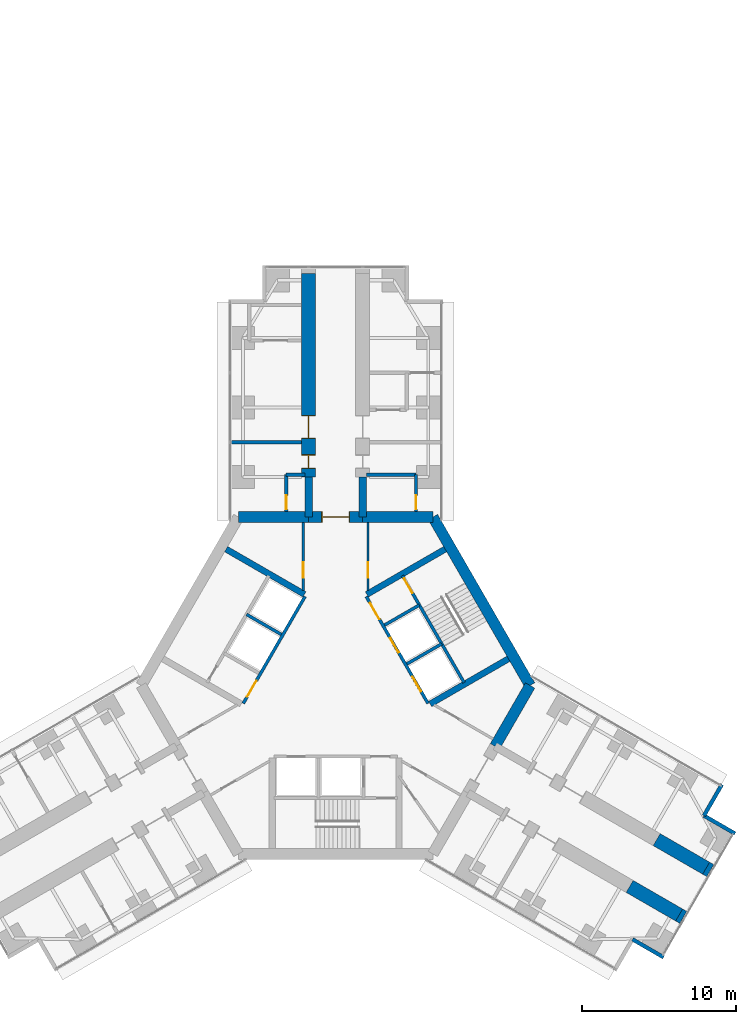
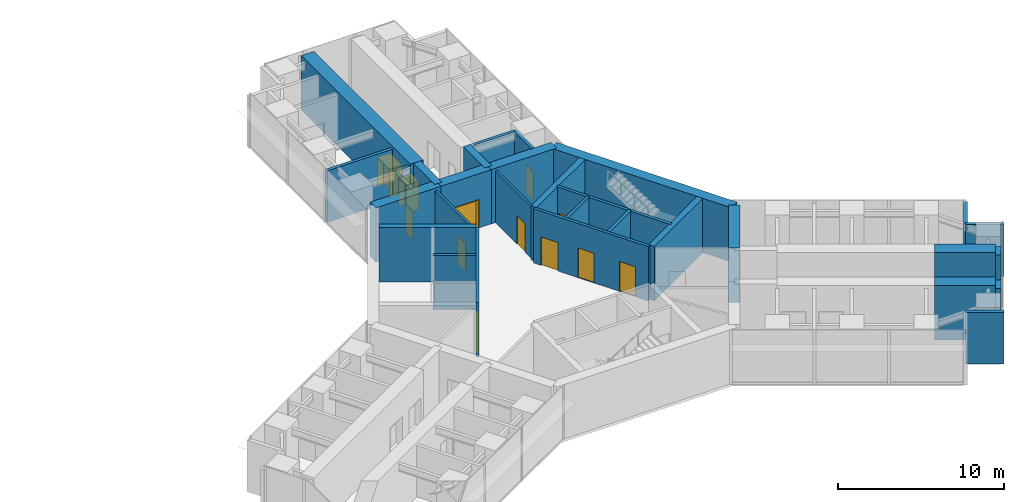
# One storey, part 20 of 22: 31 walls, 12 doors, 12 openings.
"""IFC4 building model written with IfcOpenShell, lengths in metres."""

from ifc_helpers import new_model, si_unit, direction, frame, frame_2d, origin, place, context, subcontext, project, spatial, rectangle, extrude, material, layer, layer_set, type_object, element, fill, save


model = new_model("IFC4")

# Units and contexts
model_context = context("Model", 3, precision=1e-05, world=origin(), true_north=direction((0.0, 1.0)))
body_context = subcontext(model_context, "Body", "Model", "MODEL_VIEW")
ifc_project = project(units=[si_unit("LENGTHUNIT", "METRE"), si_unit("AREAUNIT", "SQUARE_METRE"), si_unit("VOLUMEUNIT", "CUBIC_METRE"), si_unit("PLANEANGLEUNIT", "RADIAN"), si_unit("MASSUNIT", "GRAM", prefix="KILO")], contexts=[model_context])

# Site, building, storey
site_placement = place(None, origin())
site = spatial("IfcSite", under=ifc_project, at=site_placement, CompositionType="ELEMENT")
building_placement = place(site_placement, origin())
building = spatial("IfcBuilding", under=site, at=building_placement, Name="Upepo Twin Towers", CompositionType="ELEMENT")
storey_placement = place(building_placement, frame((0.0, 0.0, 44.5)))
storey = spatial("IfcBuildingStorey", under=building, at=storey_placement, Name="L10", CompositionType="ELEMENT", Elevation=44.5)

# Wall
ifc_material_1 = material(Name="Concrete blockwork, plastered both faces", Category="masonry")
ifc_layer_1 = layer(ifc_material_1, 0.215087890625)
ifc_layer_set_1 = layer_set([ifc_layer_1], Name="Blockwork partition 215")
wall_type_1 = type_object("IfcWallType", Name="Blockwork partition 215", PredefinedType="PARTITIONING", material=ifc_layer_set_1)
wall_1_placement = place(storey_placement, frame((56.300048828125, -2.25, 0.0), z_axis=(0.0, 0.0, 1.0), x_axis=(-1.0, 0.0, 0.0)))
element("IfcWall", 1, at=wall_1_placement, inside=storey, type_object=wall_type_1, Name="T2 partition AL at 15.75", PredefinedType="PARTITIONING", context=body_context, shape_type="SweptSolid", body=[
    extrude(rectangle(XDim=4.550048828125, YDim=0.215087890625, at=frame_2d((2.27490234375, 0.0))), origin(), (0.0, 0.0, 1.0), 3.800048828125),
])

# Wall, opening, door
wall_2_placement = place(storey_placement, frame((55.300048828125, -6.741943359375, 0.0), z_axis=(0.0, 0.0, 1.0), x_axis=(0.0, 1.0, 0.0)))
wall_2 = element("IfcWall", 2, at=wall_2_placement, inside=storey, type_object=wall_type_1, Name="T2 WC bay partition AL at 11.26", PredefinedType="PARTITIONING", context=body_context, shape_type="SweptSolid", body=[
    extrude(rectangle(XDim=2.39990234375, YDim=0.215087890625, at=frame_2d((1.199951171875, 0.0))), origin(), (0.0, 0.0, 1.0), 3.800048828125),
])
opening_1_placement = place(wall_2_placement, frame((0.14990234375, 0.0, 0.0)))
opening_1 = element("IfcOpeningElement", 3, at=opening_1_placement, cuts=wall_2, Name="Opening D14", PredefinedType="OPENING", context=body_context, shape_type="SweptSolid", body=[
    extrude(rectangle(XDim=0.89990234375, YDim=2.10009765625, at=frame_2d((0.449951171875, 1.050048828125))), frame((0.0, 0.117431640625, 0.0), z_axis=(0.0, -1.0, 0.0), x_axis=(1.0, 0.0, 0.0)), (0.0, 0.0, 1.0), 0.235107421875),
])
ifc_material_2 = material(Name="Timber doorset", Category="wood")
door_type_1 = type_object("IfcDoorType", Name="Office door 900 FD30", OperationType="SINGLE_SWING_LEFT", PredefinedType="DOOR", material=ifc_material_2)
door_1_placement = place(opening_1_placement, origin())
door_1 = element("IfcDoor", 4, at=door_1_placement, inside=storey, type_object=door_type_1, Name="T2 L10 WC bay inner room door", OperationType="SINGLE_SWING_LEFT", OverallHeight=2.10009765625, OverallWidth=0.89990234375, PredefinedType="DOOR", context=body_context, shape_type="SweptSolid", body=[
    extrude(rectangle(XDim=0.89990234375, YDim=2.10009765625, at=frame_2d((0.449951171875, 1.050048828125))), frame((0.0, 0.02490234375, 0.0), z_axis=(0.0, -1.0, 0.0), x_axis=(1.0, 0.0, 0.0)), (0.0, 0.0, 1.0), 0.050048828125),
])
fill(opening_1, door_1)

# Wall
wall_3_placement = place(storey_placement, frame((56.5, -4.342041015625, 0.0), z_axis=(0.0, 0.0, 1.0), x_axis=(-1.0, 0.0, 0.0)))
element("IfcWall", 5, at=wall_3_placement, inside=storey, type_object=wall_type_1, Name="T2 WC bay partition AL end at 13.66", PredefinedType="PARTITIONING", context=body_context, shape_type="SweptSolid", body=[
    extrude(rectangle(XDim=1.199951171875, YDim=0.215087890625, at=frame_2d((0.60009765625, 0.0))), origin(), (0.0, 0.0, 1.0), 3.800048828125),
])

# Wall, opening, door
wall_4_placement = place(storey_placement, frame((63.699951171875, -6.741943359375, 0.0), z_axis=(0.0, 0.0, 1.0), x_axis=(0.0, 1.0, 0.0)))
wall_4 = element("IfcWall", 6, at=wall_4_placement, inside=storey, type_object=wall_type_1, Name="T2 WC bay partition AR at 11.26", PredefinedType="PARTITIONING", context=body_context, shape_type="SweptSolid", body=[
    extrude(rectangle(XDim=2.39990234375, YDim=0.215087890625, at=frame_2d((1.199951171875, 0.0))), origin(), (0.0, 0.0, 1.0), 3.800048828125),
])
opening_2_placement = place(wall_4_placement, frame((0.14990234375, 0.0, 0.0)))
opening_2 = element("IfcOpeningElement", 7, at=opening_2_placement, cuts=wall_4, Name="Opening D14", PredefinedType="OPENING", context=body_context, shape_type="SweptSolid", body=[
    extrude(rectangle(XDim=0.89990234375, YDim=2.10009765625, at=frame_2d((0.449951171875, 1.050048828125))), frame((0.0, 0.117431640625, 0.0), z_axis=(0.0, -1.0, 0.0), x_axis=(1.0, 0.0, 0.0)), (0.0, 0.0, 1.0), 0.235107421875),
])
door_2_placement = place(opening_2_placement, origin())
door_2 = element("IfcDoor", 8, at=door_2_placement, inside=storey, type_object=door_type_1, Name="T2 L10 WC bay inner room door", OperationType="SINGLE_SWING_LEFT", OverallHeight=2.10009765625, OverallWidth=0.89990234375, PredefinedType="DOOR", context=body_context, shape_type="SweptSolid", body=[
    extrude(rectangle(XDim=0.89990234375, YDim=2.10009765625, at=frame_2d((0.449951171875, 1.050048828125))), frame((0.0, 0.02490234375, 0.0), z_axis=(0.0, -1.0, 0.0), x_axis=(1.0, 0.0, 0.0)), (0.0, 0.0, 1.0), 0.050048828125),
])
fill(opening_2, door_2)

# Walls
wall_5_placement = place(storey_placement, frame((60.5, -4.342041015625, 0.0), z_axis=(0.0, 0.0, 1.0), x_axis=(1.0, 0.0, 0.0)))
element("IfcWall", 9, at=wall_5_placement, inside=storey, type_object=wall_type_1, Name="T2 WC bay partition AR end at 13.66", PredefinedType="PARTITIONING", context=body_context, shape_type="SweptSolid", body=[
    extrude(rectangle(XDim=3.199951171875, YDim=0.215087890625, at=frame_2d((1.60009765625, 0.0))), origin(), (0.0, 0.0, 1.0), 3.800048828125),
])
ifc_material_3 = material(Name="Dense concrete blockwork", Category="masonry")
ifc_layer_2 = layer(ifc_material_3, 0.89990234375)
ifc_layer_set_2 = layer_set([ifc_layer_2], Name="Buttress closer 900, blockwork with fire-stopping to the curtain wall")
wall_type_2 = type_object("IfcWallType", Name="Buttress closer 900, blockwork with fire-stopping to the curtain wall", PredefinedType="PARTITIONING", material=ifc_layer_set_2)
for number, where, z_axis, x_axis, name in (
    (10, (82.497802734375, -29.83447265625, 0.0), (0.0, 0.0, 1.0), (0.866054481515, -0.499949632511, 0.0), "T2 L10 wing C buttress closer L"),
    (11, (80.747802734375, -32.865478515625, 0.0), (0.0, 0.0, 1.0), (0.866054481515, -0.499949632511, 0.0), "T2 L10 wing C buttress closer R"),
):
    element("IfcWall", number, at=place(storey_placement, frame(where, z_axis=z_axis, x_axis=x_axis)), inside=storey, type_object=wall_type_2, Name=name, PredefinedType="PARTITIONING", context=body_context, shape_type="SweptSolid", body=[
        extrude(rectangle(XDim=0.31005859375, YDim=0.89990234375, at=frame_2d((0.155029296875, 0.0))), origin(), (0.0, 0.0, 1.0), 3.800048828125),
    ])
ifc_material_4 = material(Name="Concrete C60/75", Category="concrete")
ifc_layer_3 = layer(ifc_material_4, 0.5)
ifc_layer_set_3 = layer_set([ifc_layer_3], Name="Concrete C60/75")
wall_type_3 = type_object("IfcWallType", Name="Buttress wall 500 RC", PredefinedType="SHEAR", material=ifc_layer_set_3)
for number, where, z_axis, x_axis, name in (
    (12, (56.75, -7.091552734375, 0.0), (0.0, 0.0, 1.0), (0.0, 1.0, 0.0), "T2 wing A buttress wall L"),
    (13, (60.25, -7.091552734375, 0.0), (0.0, 0.0, 1.0), (0.0, 1.0, 0.0), "T2 wing A buttress wall R"),
):
    element("IfcWall", number, at=place(storey_placement, frame(where, z_axis=z_axis, x_axis=x_axis)), inside=storey, type_object=wall_type_3, Name=name, PredefinedType="SHEAR", context=body_context, shape_type="SweptSolid", body=[
        extrude(rectangle(XDim=2.591552734375, YDim=0.5, at=frame_2d((1.2958984375, 0.0))), origin(), (0.0, 0.0, 1.0), 4.0),
    ])

# Wall, openings, doors
ifc_material_5 = material(Name="Concrete C60/75", Category="concrete")
ifc_layer_4 = layer(ifc_material_5, 0.89990234375)
ifc_layer_set_4 = layer_set([ifc_layer_4], Name="Concrete C60/75")
wall_type_4 = type_object("IfcWallType", Name="Buttress wall 900 RC", PredefinedType="SHEAR", material=ifc_layer_set_4)
wall_6_placement = place(storey_placement, frame((56.75, -4.5, 0.0), z_axis=(0.0, 0.0, 1.0), x_axis=(0.0, 1.0, 0.0)))
wall_6 = element("IfcWall", 14, at=wall_6_placement, inside=storey, type_object=wall_type_4, Name="T2 wing A buttress wall L part 2", PredefinedType="SHEAR", context=body_context, shape_type="SweptSolid", body=[
    extrude(rectangle(XDim=13.199951171875, YDim=0.89990234375, at=frame_2d((6.60009765625, 0.0))), origin(), (0.0, 0.0, 1.0), 4.0),
])
opening_3_placement = place(wall_6_placement, frame((0.550048828125, 0.0, 0.0)))
opening_3 = element("IfcOpeningElement", 15, at=opening_3_placement, cuts=wall_6, Name="Opening D11", PredefinedType="OPENING", context=body_context, shape_type="SweptSolid", body=[
    extrude(rectangle(XDim=0.89990234375, YDim=2.10009765625, at=frame_2d((0.449951171875, 1.050048828125))), frame((0.0, 0.4599609375, 0.0), z_axis=(0.0, -1.0, 0.0), x_axis=(1.0, 0.0, 0.0)), (0.0, 0.0, 1.0), 0.919921875),
])
opening_4_placement = place(wall_6_placement, frame((2.5, 0.0, 0.0)))
opening_4 = element("IfcOpeningElement", 16, at=opening_4_placement, cuts=wall_6, Name="Opening D13", PredefinedType="OPENING", context=body_context, shape_type="SweptSolid", body=[
    extrude(rectangle(XDim=1.5, YDim=2.10009765625, at=frame_2d((0.75, 1.050048828125))), frame((0.0, 0.4599609375, 0.0), z_axis=(0.0, -1.0, 0.0), x_axis=(1.0, 0.0, 0.0)), (0.0, 0.0, 1.0), 0.919921875),
])
ifc_material_6 = material(Name="Timber doorset", Category="wood")
door_type_2 = type_object("IfcDoorType", Name="Double door 1500 FD30", OperationType="DOUBLE_DOOR_SINGLE_SWING", PredefinedType="DOOR", material=ifc_material_6)
door_3_placement = place(opening_4_placement, origin())
door_3 = element("IfcDoor", 17, at=door_3_placement, inside=storey, type_object=door_type_2, Name="T2 L10 lecture room door", OperationType="DOUBLE_DOOR_SINGLE_SWING", OverallHeight=2.10009765625, OverallWidth=1.5, PredefinedType="DOOR", context=body_context, shape_type="SweptSolid", body=[
    extrude(rectangle(XDim=1.42, YDim=2.06009765625, at=frame_2d((0.75, 1.030029296875))), frame((0.0, 0.02490234375, 0.0), z_axis=(0.0, -1.0, 0.0), x_axis=(1.0, 0.0, 0.0)), (0.0, 0.0, 1.0), 0.050048828125),
    extrude(rectangle(XDim=0.04, YDim=2.10009765625, at=frame_2d((0.02001953125, 1.050048828125))), frame((0.0, 0.44970703125, 0.0), z_axis=(0.0, -1.0, 0.0), x_axis=(1.0, 0.0, 0.0)), (0.0, 0.0, 1.0), 0.8994140625),
    extrude(rectangle(XDim=0.04, YDim=2.10009765625, at=frame_2d((1.47998046875, 1.050048828125))), frame((0.0, 0.44970703125, 0.0), z_axis=(0.0, -1.0, 0.0), x_axis=(1.0, 0.0, 0.0)), (0.0, 0.0, 1.0), 0.8994140625),
    extrude(rectangle(XDim=1.42, YDim=0.04, at=frame_2d((0.75, 2.080078125))), frame((0.0, 0.44970703125, 0.0), z_axis=(0.0, -1.0, 0.0), x_axis=(1.0, 0.0, 0.0)), (0.0, 0.0, 1.0), 0.8994140625),
])
fill(opening_4, door_3)
ifc_material_7 = material(Name="Timber doorset", Category="wood")
door_type_3 = type_object("IfcDoorType", Name="Toilet door 900", OperationType="SINGLE_SWING_LEFT", PredefinedType="DOOR", material=ifc_material_7)
door_4_placement = place(opening_3_placement, origin())
door_4 = element("IfcDoor", 18, at=door_4_placement, inside=storey, type_object=door_type_3, Name="T2 L10 toilets door", OperationType="SINGLE_SWING_LEFT", OverallHeight=2.10009765625, OverallWidth=0.89990234375, PredefinedType="DOOR", context=body_context, shape_type="SweptSolid", body=[
    extrude(rectangle(XDim=0.81990234375, YDim=2.06009765625, at=frame_2d((0.449951171875, 1.030029296875))), frame((0.0, 0.02490234375, 0.0), z_axis=(0.0, -1.0, 0.0), x_axis=(1.0, 0.0, 0.0)), (0.0, 0.0, 1.0), 0.050048828125),
    extrude(rectangle(XDim=0.04, YDim=2.10009765625, at=frame_2d((0.02001953125, 1.050048828125))), frame((0.0, 0.44970703125, 0.0), z_axis=(0.0, -1.0, 0.0), x_axis=(1.0, 0.0, 0.0)), (0.0, 0.0, 1.0), 0.8994140625),
    extrude(rectangle(XDim=0.04, YDim=2.10009765625, at=frame_2d((0.8798828125, 1.050048828125))), frame((0.0, 0.44970703125, 0.0), z_axis=(0.0, -1.0, 0.0), x_axis=(1.0, 0.0, 0.0)), (0.0, 0.0, 1.0), 0.8994140625),
    extrude(rectangle(XDim=0.81990234375, YDim=0.04, at=frame_2d((0.449951171875, 2.080078125))), frame((0.0, 0.44970703125, 0.0), z_axis=(0.0, -1.0, 0.0), x_axis=(1.0, 0.0, 0.0)), (0.0, 0.0, 1.0), 0.8994140625),
])
fill(opening_3, door_4)

# Walls
wall_7_placement = place(storey_placement, frame((79.293701171875, -27.984375, 0.0), z_axis=(0.0, 0.0, 1.0), x_axis=(0.866000971088, -0.500042316284, 0.0)))
element("IfcWall", 19, at=wall_7_placement, inside=storey, type_object=wall_type_4, Name="T2 wing C buttress wall L part 3", PredefinedType="SHEAR", context=body_context, shape_type="SweptSolid", body=[
    extrude(rectangle(XDim=3.699951171875, YDim=0.89990234375, at=frame_2d((1.85009765625, 0.0))), origin(), (0.0, 0.0, 1.0), 4.0),
])
wall_8_placement = place(storey_placement, frame((77.543701171875, -31.015625, 0.0), z_axis=(0.0, 0.0, 1.0), x_axis=(0.866029545028, -0.499992827086, 0.0)))
element("IfcWall", 20, at=wall_8_placement, inside=storey, type_object=wall_type_4, Name="T2 wing C buttress wall R part 3", PredefinedType="SHEAR", context=body_context, shape_type="SweptSolid", body=[
    extrude(rectangle(XDim=3.69970703125, YDim=0.89990234375, at=frame_2d((1.849853515625, 0.0))), origin(), (0.0, 0.0, 1.0), 4.0),
])
ifc_material_8 = material(Name="Concrete C60/75", Category="concrete")
ifc_layer_5 = layer(ifc_material_8, 0.699951171875)
ifc_layer_set_5 = layer_set([ifc_layer_5], Name="Concrete C60/75")
wall_type_5 = type_object("IfcWallType", Name="Core wall 700 RC", PredefinedType="SHEAR", material=ifc_layer_set_5)
wall_9_placement = place(storey_placement, frame((64.7978515625, -7.091552734375, 0.0), z_axis=(0.0, 0.0, 1.0), x_axis=(-1.0, 0.0, 0.0)))
element("IfcWall", 21, at=wall_9_placement, inside=storey, type_object=wall_type_5, Name="T2 core wall 000 R", PredefinedType="SHEAR", context=body_context, shape_type="SweptSolid", body=[
    extrude(rectangle(XDim=4.5478515625, YDim=0.699951171875, at=frame_2d((2.27392578125, 0.0))), origin(), (0.0, 0.0, 1.0), 4.0),
])

# Wall, opening, door
wall_10_placement = place(storey_placement, frame((60.25, -7.091552734375, 0.0), z_axis=(0.0, 0.0, 1.0), x_axis=(-1.0, 0.0, 0.0)))
wall_10 = element("IfcWall", 22, at=wall_10_placement, inside=storey, type_object=wall_type_5, Name="T2 core wall 000", PredefinedType="SHEAR", context=body_context, shape_type="SweptSolid", body=[
    extrude(rectangle(XDim=3.5, YDim=0.699951171875, at=frame_2d((1.75, 0.0))), origin(), (0.0, 0.0, 1.0), 4.0),
])
opening_5_placement = place(wall_10_placement, frame((0.85009765625, 0.0, 0.0)))
opening_5 = element("IfcOpeningElement", 23, at=opening_5_placement, cuts=wall_10, Name="Opening D2", PredefinedType="OPENING", context=body_context, shape_type="SweptSolid", body=[
    extrude(rectangle(XDim=1.800048828125, YDim=2.10009765625, at=frame_2d((0.89990234375, 1.050048828125))), frame((0.0, 0.35986328125, 0.0), z_axis=(0.0, -1.0, 0.0), x_axis=(1.0, 0.0, 0.0)), (0.0, 0.0, 1.0), 0.719970703125),
])
ifc_material_9 = material(Name="Timber doorset", Category="wood")
door_type_4 = type_object("IfcDoorType", Name="Corridor double door 1800 FD60", OperationType="DOUBLE_DOOR_DOUBLE_SWING", PredefinedType="DOOR", material=ifc_material_9)
door_5_placement = place(opening_5_placement, origin())
door_5 = element("IfcDoor", 24, at=door_5_placement, inside=storey, type_object=door_type_4, Name="T2 L10 wing A corridor door", OperationType="DOUBLE_DOOR_DOUBLE_SWING", OverallHeight=2.10009765625, OverallWidth=1.800048828125, PredefinedType="DOOR", context=body_context, shape_type="SweptSolid", body=[
    extrude(rectangle(XDim=1.720048828125, YDim=2.06009765625, at=frame_2d((0.89990234375, 1.030029296875))), frame((0.0, 0.02490234375, 0.0), z_axis=(0.0, -1.0, 0.0), x_axis=(1.0, 0.0, 0.0)), (0.0, 0.0, 1.0), 0.050048828125),
    extrude(rectangle(XDim=0.04, YDim=2.10009765625, at=frame_2d((0.02001953125, 1.050048828125))), frame((0.0, 0.349609375, 0.0), z_axis=(0.0, -1.0, 0.0), x_axis=(1.0, 0.0, 0.0)), (0.0, 0.0, 1.0), 0.699462890625),
    extrude(rectangle(XDim=0.04, YDim=2.10009765625, at=frame_2d((1.780029296875, 1.050048828125))), frame((0.0, 0.349609375, 0.0), z_axis=(0.0, -1.0, 0.0), x_axis=(1.0, 0.0, 0.0)), (0.0, 0.0, 1.0), 0.699462890625),
    extrude(rectangle(XDim=1.720048828125, YDim=0.04, at=frame_2d((0.89990234375, 2.080078125))), frame((0.0, 0.349609375, 0.0), z_axis=(0.0, -1.0, 0.0), x_axis=(1.0, 0.0, 0.0)), (0.0, 0.0, 1.0), 0.699462890625),
])
fill(opening_5, door_5)

# Walls
wall_11_placement = place(storey_placement, frame((56.75, -7.091552734375, 0.0), z_axis=(0.0, 0.0, 1.0), x_axis=(-1.0, 0.0, 0.0)))
element("IfcWall", 25, at=wall_11_placement, inside=storey, type_object=wall_type_5, Name="T2 core wall 000 L", PredefinedType="SHEAR", context=body_context, shape_type="SweptSolid", body=[
    extrude(rectangle(XDim=4.5478515625, YDim=0.699951171875, at=frame_2d((2.27392578125, 0.0))), origin(), (0.0, 0.0, 1.0), 4.0),
])
wall_12_placement = place(storey_placement, frame((68.82177734375, -21.938720703125, 0.0), z_axis=(0.0, 0.0, 1.0), x_axis=(0.500024481964, 0.866011268655, 0.0)))
element("IfcWall", 26, at=wall_12_placement, inside=storey, type_object=wall_type_5, Name="T2 core wall 240 L", PredefinedType="SHEAR", context=body_context, shape_type="SweptSolid", body=[
    extrude(rectangle(XDim=4.548095703125, YDim=0.699951171875, at=frame_2d((2.27392578125, 0.0))), origin(), (0.0, 0.0, 1.0), 4.0),
])
wall_13_placement = place(storey_placement, frame((71.095947265625, -18.0, 0.0), z_axis=(0.0, 0.0, 1.0), x_axis=(-0.500005998175, 0.866021940709, 0.0)))
element("IfcWall", 27, at=wall_13_placement, inside=storey, type_object=wall_type_5, Name="T2 core wall 300", PredefinedType="SHEAR", context=body_context, shape_type="SweptSolid", body=[
    extrude(rectangle(XDim=12.595947265625, YDim=0.699951171875, at=frame_2d((6.2978515625, 0.0))), origin(), (0.0, 0.0, 1.0), 4.0),
])
ifc_material_10 = material(Name="Blockwork with anodised aluminium cladding", Category="masonry")
ifc_layer_6 = layer(ifc_material_10, 0.25)
ifc_layer_set_6 = layer_set([ifc_layer_6], Name="Notch cladding wall 250, pale metal")
wall_type_6 = type_object("IfcWallType", Name="Notch cladding wall 250, pale metal", PredefinedType="STANDARD", material=ifc_layer_set_6)
for number, where, z_axis, x_axis, name in (
    (28, (83.517333984375, -24.418701171875, 0.0), (0.0, 0.0, 1.0), (-0.499967891604, -0.866043940782, 0.0), "T2 L10 wing C notch wall L1"),
    (29, (82.35498046875, -26.43212890625, 0.0), (0.0, 0.0, 1.0), (0.865998469481, -0.500046648681, 0.0), "T2 L10 wing C notch wall L2"),
    (30, (77.72998046875, -34.44287109375, 0.0), (0.0, 0.0, 1.0), (0.865998469481, -0.500046648681, 0.0), "T2 L10 wing C notch wall R2"),
):
    element("IfcWall", number, at=place(storey_placement, frame(where, z_axis=z_axis, x_axis=x_axis)), inside=storey, type_object=wall_type_6, Name=name, PredefinedType="STANDARD", context=body_context, shape_type="SweptSolid", body=[
        extrude(rectangle(XDim=2.324951171875, YDim=0.25, at=frame_2d((1.16259765625, 0.0))), origin(), (0.0, 0.0, 1.0), 3.800048828125),
    ])

# Wall, opening, door
ifc_material_11 = material(Name="Concrete C40/50", Category="concrete")
ifc_layer_7 = layer(ifc_material_11, 0.199951171875)
ifc_layer_set_7 = layer_set([ifc_layer_7], Name="Concrete C40/50")
wall_type_7 = type_object("IfcWallType", Name="Shaft wall 200 RC", PredefinedType="SHEAR", material=ifc_layer_set_7)
wall_14_placement = place(storey_placement, frame((56.516357421875, -12.23583984375, 0.0), z_axis=(0.0, 0.0, 1.0), x_axis=(-0.49999894854, -0.866026010844, 0.0)))
wall_14 = element("IfcWall", 31, at=wall_14_placement, inside=storey, type_object=wall_type_7, Name="T2 core W60 front wall", PredefinedType="SHEAR", context=body_context, shape_type="SweptSolid", body=[
    extrude(rectangle(XDim=8.0, YDim=0.199951171875, at=frame_2d((4.0, 0.0))), origin(), (0.0, 0.0, 1.0), 4.0),
])
opening_6_placement = place(wall_14_placement, frame((6.300048828125, 0.0, 0.0)))
opening_6 = element("IfcOpeningElement", 32, at=opening_6_placement, cuts=wall_14, Name="Opening D4", PredefinedType="OPENING", context=body_context, shape_type="SweptSolid", body=[
    extrude(rectangle(XDim=1.199951171875, YDim=2.10009765625, at=frame_2d((0.60009765625, 1.050048828125))), frame((0.0, 0.10986328125, 0.0), z_axis=(0.0, -1.0, 0.0), x_axis=(1.0, 0.0, 0.0)), (0.0, 0.0, 1.0), 0.219970703125),
])
ifc_material_12 = material(Name="Timber doorset", Category="wood")
door_type_5 = type_object("IfcDoorType", Name="Lobby door 1200 FD60", OperationType="SINGLE_SWING_LEFT", PredefinedType="DOOR", material=ifc_material_12)
door_6_placement = place(opening_6_placement, origin())
door_6 = element("IfcDoor", 33, at=door_6_placement, inside=storey, type_object=door_type_5, Name="T2 L10 W60 lobby door", OperationType="SINGLE_SWING_RIGHT", OverallHeight=2.10009765625, OverallWidth=1.199951171875, PredefinedType="DOOR", context=body_context, shape_type="SweptSolid", body=[
    extrude(rectangle(XDim=1.199951171875, YDim=2.10009765625, at=frame_2d((0.60009765625, 1.050048828125))), frame((0.0, 0.02490234375, 0.0), z_axis=(0.0, -1.0, 0.0), x_axis=(1.0, 0.0, 0.0)), (0.0, 0.0, 1.0), 0.050048828125),
])
fill(opening_6, door_6)

# Wall
wall_15_placement = place(storey_placement, frame((54.979736328125, -14.697265625, 0.0), z_axis=(0.0, 0.0, 1.0), x_axis=(-0.866062058628, 0.499936506574, 0.0)))
element("IfcWall", 34, at=wall_15_placement, inside=storey, type_object=wall_type_7, Name="T2 core W60 shaft divider", PredefinedType="SHEAR", context=body_context, shape_type="SweptSolid", body=[
    extrude(rectangle(XDim=2.599853515625, YDim=0.199951171875, at=frame_2d((1.2998046875, 0.0))), origin(), (0.0, 0.0, 1.0), 4.0),
])

# Wall, openings, doors
wall_16_placement = place(storey_placement, frame((64.483642578125, -19.1640625, 0.0), z_axis=(0.0, 0.0, 1.0), x_axis=(-0.49999894854, 0.866026010844, 0.0)))
wall_16 = element("IfcWall", 35, at=wall_16_placement, inside=storey, type_object=wall_type_7, Name="T2 core W300 front wall", PredefinedType="SHEAR", context=body_context, shape_type="SweptSolid", body=[
    extrude(rectangle(XDim=8.0, YDim=0.199951171875, at=frame_2d((4.0, 0.0))), origin(), (0.0, 0.0, 1.0), 4.0),
])
opening_7_placement = place(wall_16_placement, frame((6.300048828125, 0.0, 0.0)))
opening_7 = element("IfcOpeningElement", 36, at=opening_7_placement, cuts=wall_16, Name="Opening D4", PredefinedType="OPENING", context=body_context, shape_type="SweptSolid", body=[
    extrude(rectangle(XDim=1.199951171875, YDim=2.10009765625, at=frame_2d((0.60009765625, 1.050048828125))), frame((0.0, 0.10986328125, 0.0), z_axis=(0.0, -1.0, 0.0), x_axis=(1.0, 0.0, 0.0)), (0.0, 0.0, 1.0), 0.219970703125),
])
opening_8_placement = place(wall_16_placement, frame((0.89990234375, 0.0, 0.0)))
opening_8 = element("IfcOpeningElement", 37, at=opening_8_placement, cuts=wall_16, Name="Opening LD1", PredefinedType="OPENING", context=body_context, shape_type="SweptSolid", body=[
    extrude(rectangle(XDim=1.10009765625, YDim=2.199951171875, at=frame_2d((0.550048828125, 1.10009765625))), frame((0.0, 0.10986328125, 0.0), z_axis=(0.0, -1.0, 0.0), x_axis=(1.0, 0.0, 0.0)), (0.0, 0.0, 1.0), 0.219970703125),
])
opening_9_placement = place(wall_16_placement, frame((3.800048828125, 0.0, 0.0)))
opening_9 = element("IfcOpeningElement", 38, at=opening_9_placement, cuts=wall_16, Name="Opening LD1", PredefinedType="OPENING", context=body_context, shape_type="SweptSolid", body=[
    extrude(rectangle(XDim=1.10009765625, YDim=2.199951171875, at=frame_2d((0.550048828125, 1.10009765625))), frame((0.0, 0.10986328125, 0.0), z_axis=(0.0, -1.0, 0.0), x_axis=(1.0, 0.0, 0.0)), (0.0, 0.0, 1.0), 0.219970703125),
])
ifc_material_13 = material(Name="Steel doorset", Category="steel")
door_type_6 = type_object("IfcDoorType", Name="Lift landing door 1100", OperationType="DOUBLE_DOOR_SLIDING", PredefinedType="DOOR", material=ifc_material_13)
door_7_placement = place(opening_8_placement, origin())
door_7 = element("IfcDoor", 39, at=door_7_placement, inside=storey, type_object=door_type_6, Name="T2 L10 lift LL1 landing door", OperationType="DOUBLE_DOOR_SLIDING", OverallHeight=2.199951171875, OverallWidth=1.10009765625, PredefinedType="DOOR", context=body_context, shape_type="SweptSolid", body=[
    extrude(rectangle(XDim=1.10009765625, YDim=2.199951171875, at=frame_2d((0.550048828125, 1.10009765625))), frame((0.0, 0.02490234375, 0.0), z_axis=(0.0, -1.0, 0.0), x_axis=(1.0, 0.0, 0.0)), (0.0, 0.0, 1.0), 0.050048828125),
])
fill(opening_8, door_7)
door_8_placement = place(opening_9_placement, origin())
door_8 = element("IfcDoor", 40, at=door_8_placement, inside=storey, type_object=door_type_6, Name="T2 L10 lift LL2 landing door", OperationType="DOUBLE_DOOR_SLIDING", OverallHeight=2.199951171875, OverallWidth=1.10009765625, PredefinedType="DOOR", context=body_context, shape_type="SweptSolid", body=[
    extrude(rectangle(XDim=1.10009765625, YDim=2.199951171875, at=frame_2d((0.550048828125, 1.10009765625))), frame((0.0, 0.02490234375, 0.0), z_axis=(0.0, -1.0, 0.0), x_axis=(1.0, 0.0, 0.0)), (0.0, 0.0, 1.0), 0.050048828125),
])
fill(opening_9, door_8)
door_9_placement = place(opening_7_placement, origin())
door_9 = element("IfcDoor", 41, at=door_9_placement, inside=storey, type_object=door_type_5, Name="T2 L10 W300 lobby door", OperationType="SINGLE_SWING_RIGHT", OverallHeight=2.10009765625, OverallWidth=1.199951171875, PredefinedType="DOOR", context=body_context, shape_type="SweptSolid", body=[
    extrude(rectangle(XDim=1.199951171875, YDim=2.10009765625, at=frame_2d((0.60009765625, 1.050048828125))), frame((0.0, 0.02490234375, 0.0), z_axis=(0.0, -1.0, 0.0), x_axis=(1.0, 0.0, 0.0)), (0.0, 0.0, 1.0), 0.050048828125),
])
fill(opening_7, door_9)

# Walls
wall_17_placement = place(storey_placement, frame((63.120361328125, -16.6025390625, 0.0), z_axis=(0.0, 0.0, 1.0), x_axis=(0.866062058628, 0.499936506574, 0.0)))
element("IfcWall", 42, at=wall_17_placement, inside=storey, type_object=wall_type_7, Name="T2 core W300 shaft divider", PredefinedType="SHEAR", context=body_context, shape_type="SweptSolid", body=[
    extrude(rectangle(XDim=2.599853515625, YDim=0.199951171875, at=frame_2d((1.2998046875, 0.0))), origin(), (0.0, 0.0, 1.0), 4.0),
])
wall_18_placement = place(storey_placement, frame((61.67041015625, -14.091064453125, 0.0), z_axis=(0.0, 0.0, 1.0), x_axis=(0.86603858612, 0.49997716683, 0.0)))
element("IfcWall", 43, at=wall_18_placement, inside=storey, type_object=wall_type_7, Name="T2 core W300 lobby wall", PredefinedType="SHEAR", context=body_context, shape_type="SweptSolid", body=[
    extrude(rectangle(XDim=2.599609375, YDim=0.199951171875, at=frame_2d((1.2998046875, 0.0))), origin(), (0.0, 0.0, 1.0), 4.0),
])

# Wall, opening, door
wall_19_placement = place(storey_placement, frame((66.822021484375, -17.814208984375, 0.0), z_axis=(0.0, 0.0, 1.0), x_axis=(-0.49999894854, 0.866026010844, 0.0)))
wall_19 = element("IfcWall", 44, at=wall_19_placement, inside=storey, type_object=wall_type_7, Name="T2 core W300 stair wall", PredefinedType="SHEAR", context=body_context, shape_type="SweptSolid", body=[
    extrude(rectangle(XDim=8.0, YDim=0.199951171875, at=frame_2d((4.0, 0.0))), origin(), (0.0, 0.0, 1.0), 4.0),
])
opening_10_placement = place(wall_19_placement, frame((6.699951171875, 0.0, 0.0)))
opening_10 = element("IfcOpeningElement", 45, at=opening_10_placement, cuts=wall_19, Name="Opening D3", PredefinedType="OPENING", context=body_context, shape_type="SweptSolid", body=[
    extrude(rectangle(XDim=1.10009765625, YDim=2.10009765625, at=frame_2d((0.550048828125, 1.050048828125))), frame((0.0, 0.10986328125, 0.0), z_axis=(0.0, -1.0, 0.0), x_axis=(1.0, 0.0, 0.0)), (0.0, 0.0, 1.0), 0.219970703125),
])
ifc_material_14 = material(Name="Timber doorset", Category="wood")
door_type_7 = type_object("IfcDoorType", Name="Stair door 1100 FD60", OperationType="SINGLE_SWING_LEFT", PredefinedType="DOOR", material=ifc_material_14)
door_10_placement = place(opening_10_placement, origin())
door_10 = element("IfcDoor", 46, at=door_10_placement, inside=storey, type_object=door_type_7, Name="T2 L10 stair door", OperationType="SINGLE_SWING_RIGHT", OverallHeight=2.10009765625, OverallWidth=1.10009765625, PredefinedType="DOOR", context=body_context, shape_type="SweptSolid", body=[
    extrude(rectangle(XDim=1.10009765625, YDim=2.10009765625, at=frame_2d((0.550048828125, 1.050048828125))), frame((0.0, 0.02490234375, 0.0), z_axis=(0.0, -1.0, 0.0), x_axis=(1.0, 0.0, 0.0)), (0.0, 0.0, 1.0), 0.050048828125),
])
fill(opening_10, door_10)

# Walls
ifc_material_15 = material(Name="Concrete C40/50", Category="concrete")
ifc_layer_8 = layer(ifc_material_15, 0.39990234375)
ifc_layer_set_8 = layer_set([ifc_layer_8], Name="Concrete C40/50")
wall_type_8 = type_object("IfcWallType", Name="Shaft wall 400 RC", PredefinedType="SHEAR", material=ifc_layer_set_8)
for number, where, z_axis, x_axis, name in (
    (47, (56.479736328125, -12.099365234375, 0.0), (0.0, 0.0, 1.0), (-0.866023886965, 0.500002627198, 0.0), "T2 core W60 side wall S"),
    (48, (60.520263671875, -12.099365234375, 0.0), (0.0, 0.0, 1.0), (0.866023886965, 0.500002627198, 0.0), "T2 core W300 side wall N"),
    (49, (64.620361328125, -19.20068359375, 0.0), (0.0, 0.0, 1.0), (0.866023886965, 0.500002627198, 0.0), "T2 core W300 side wall S"),
):
    element("IfcWall", number, at=place(storey_placement, frame(where, z_axis=z_axis, x_axis=x_axis)), inside=storey, type_object=wall_type_8, Name=name, PredefinedType="SHEAR", context=body_context, shape_type="SweptSolid", body=[
        extrude(rectangle(XDim=5.8583984375, YDim=0.39990234375, at=frame_2d((2.92919921875, 0.0))), origin(), (0.0, 0.0, 1.0), 4.0),
    ])

# Wall, opening, door
ifc_material_16 = material(Name="Gypsum board on steel studs", Category="steel")
ifc_layer_9 = layer(ifc_material_16, 0.14990234375)
ifc_layer_set_9 = layer_set([ifc_layer_9], Name="Teaching partition 150 acoustic")
wall_type_9 = type_object("IfcWallType", Name="Teaching partition 150 acoustic", PredefinedType="PARTITIONING", material=ifc_layer_set_9)
wall_20_placement = place(storey_placement, frame((56.39990234375, -11.857421875, 0.0), z_axis=(0.0, 0.0, 1.0), x_axis=(0.0, 1.0, 0.0)))
wall_20 = element("IfcWall", 50, at=wall_20_placement, inside=storey, type_object=wall_type_9, Name="T2 core room partition 2", PredefinedType="PARTITIONING", context=body_context, shape_type="SweptSolid", body=[
    extrude(rectangle(XDim=4.42578125, YDim=0.14990234375, at=frame_2d((2.212890625, 0.0))), origin(), (0.0, 0.0, 1.0), 3.800048828125),
])
opening_11_placement = place(wall_20_placement, frame((0.82763671875, 0.0, 0.0)))
opening_11 = element("IfcOpeningElement", 51, at=opening_11_placement, cuts=wall_20, Name="Opening D1", PredefinedType="OPENING", context=body_context, shape_type="SweptSolid", body=[
    extrude(rectangle(XDim=1.0, YDim=2.10009765625, at=frame_2d((0.5, 1.050048828125))), frame((0.0, 0.0849609375, 0.0), z_axis=(0.0, -1.0, 0.0), x_axis=(1.0, 0.0, 0.0)), (0.0, 0.0, 1.0), 0.169921875),
])
ifc_material_17 = material(Name="Timber doorset", Category="wood")
door_type_8 = type_object("IfcDoorType", Name="Room door 1000 FD30", OperationType="SINGLE_SWING_LEFT", PredefinedType="DOOR", material=ifc_material_17)
door_11_placement = place(opening_11_placement, origin())
door_11 = element("IfcDoor", 52, at=door_11_placement, inside=storey, type_object=door_type_8, Name="T2 L10 core room door K7", OperationType="SINGLE_SWING_LEFT", OverallHeight=2.10009765625, OverallWidth=1.0, PredefinedType="DOOR", context=body_context, shape_type="SweptSolid", body=[
    extrude(rectangle(XDim=1.0, YDim=2.10009765625, at=frame_2d((0.5, 1.050048828125))), frame((0.0, 0.02490234375, 0.0), z_axis=(0.0, -1.0, 0.0), x_axis=(1.0, 0.0, 0.0)), (0.0, 0.0, 1.0), 0.050048828125),
])
fill(opening_11, door_11)

wall_21_placement = place(storey_placement, frame((60.60009765625, -7.431640625, 0.0), z_axis=(0.0, 0.0, 1.0), x_axis=(0.0, -1.0, 0.0)))
wall_21 = element("IfcWall", 53, at=wall_21_placement, inside=storey, type_object=wall_type_9, Name="T2 core room partition 3", PredefinedType="PARTITIONING", context=body_context, shape_type="SweptSolid", body=[
    extrude(rectangle(XDim=4.42578125, YDim=0.14990234375, at=frame_2d((2.212890625, 0.0))), origin(), (0.0, 0.0, 1.0), 3.800048828125),
])
opening_12_placement = place(wall_21_placement, frame((2.597900390625, 0.0, 0.0)))
opening_12 = element("IfcOpeningElement", 54, at=opening_12_placement, cuts=wall_21, Name="Opening D1", PredefinedType="OPENING", context=body_context, shape_type="SweptSolid", body=[
    extrude(rectangle(XDim=1.0, YDim=2.10009765625, at=frame_2d((0.5, 1.050048828125))), frame((0.0, 0.0849609375, 0.0), z_axis=(0.0, -1.0, 0.0), x_axis=(1.0, 0.0, 0.0)), (0.0, 0.0, 1.0), 0.169921875),
])
door_12_placement = place(opening_12_placement, origin())
door_12 = element("IfcDoor", 55, at=door_12_placement, inside=storey, type_object=door_type_8, Name="T2 L10 core room door K6", OperationType="SINGLE_SWING_RIGHT", OverallHeight=2.10009765625, OverallWidth=1.0, PredefinedType="DOOR", context=body_context, shape_type="SweptSolid", body=[
    extrude(rectangle(XDim=1.0, YDim=2.10009765625, at=frame_2d((0.5, 1.050048828125))), frame((0.0, 0.02490234375, 0.0), z_axis=(0.0, -1.0, 0.0), x_axis=(1.0, 0.0, 0.0)), (0.0, 0.0, 1.0), 0.050048828125),
])
fill(opening_12, door_12)

save(model, "model.ifc")
